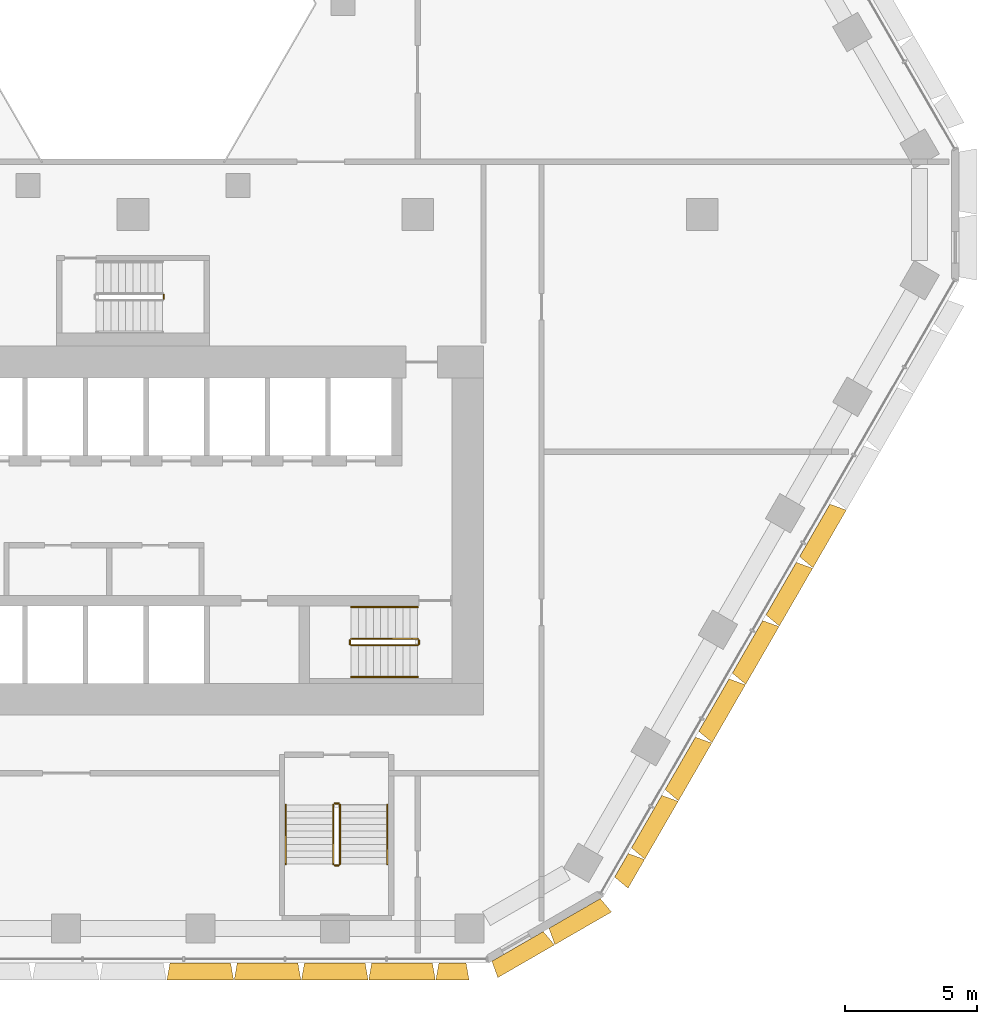
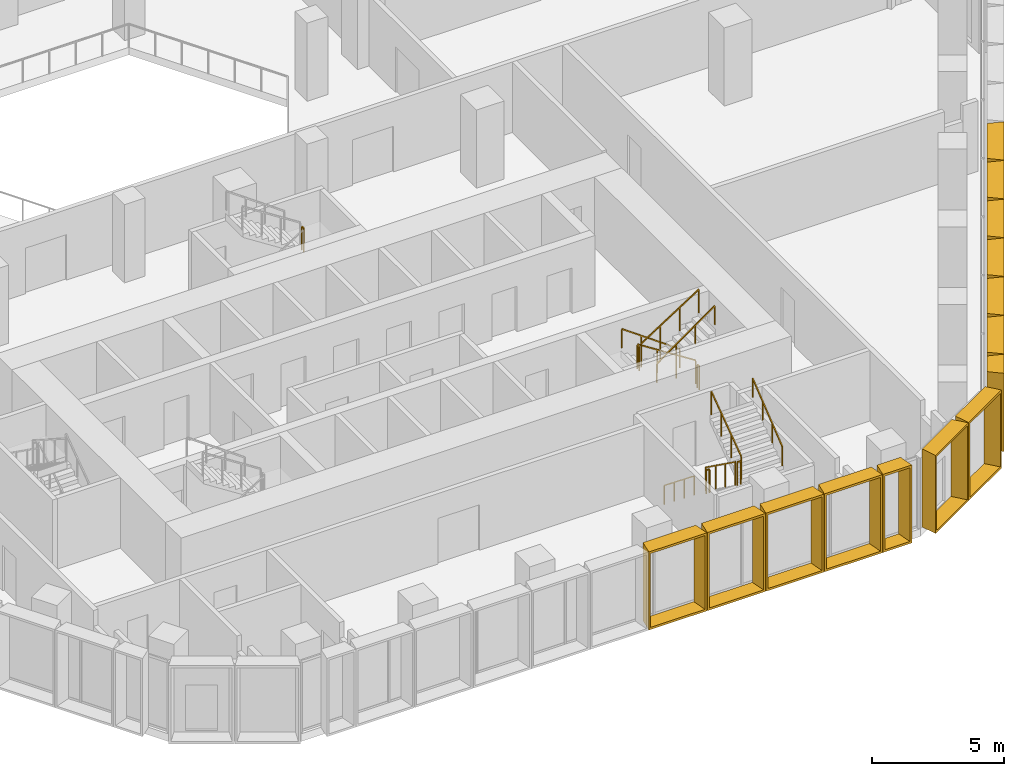
# One storey, part 21 of 22: 14 shading devices, 13 railings.
"""IFC4 building model written with IfcOpenShell, lengths in metres."""

from ifc_helpers import new_model, entity, si_unit, direction, frame, origin, origin_2d, place, context, subcontext, project, spatial, rectangle, extrude, source, transform, mapped, material, type_object, type_shapes, element, save


model = new_model("IFC4")

# Units and contexts
model_context = context("Model", 3, precision=1e-05, world=origin(), true_north=direction((0.0, 1.0)))
body_context = subcontext(model_context, "Body", "Model", "MODEL_VIEW")
ifc_project = project(units=[si_unit("LENGTHUNIT", "METRE"), si_unit("AREAUNIT", "SQUARE_METRE"), si_unit("VOLUMEUNIT", "CUBIC_METRE"), si_unit("PLANEANGLEUNIT", "RADIAN"), si_unit("MASSUNIT", "GRAM", prefix="KILO")], contexts=[model_context])

# Site, building, storey
site_placement = place(None, origin())
site = spatial("IfcSite", under=ifc_project, at=site_placement, CompositionType="ELEMENT")
building_placement = place(site_placement, origin())
building = spatial("IfcBuilding", under=site, at=building_placement, Name="Beryl Residences", CompositionType="ELEMENT")
storey_placement = place(building_placement, frame((0.0, 0.0, 12.60009765625)))
storey = spatial("IfcBuildingStorey", under=building, at=storey_placement, Name="L03", CompositionType="ELEMENT", Elevation=12.60009765625)

# Shading devices
ifc_material_1 = material(Name="Aluminium pale anodised", Category="aluminium")
shading_device_type_1 = type_object("IfcShadingDeviceType", Name="FR128-65A-H36 OUTER SKIN frame 650 mm deep, splay 10/10 deg, 1280 x 3600 mm cell", PredefinedType="USERDEFINED", material=ifc_material_1)
cartesian_point_1 = entity("IfcCartesianPoint", [-0.514892578125, 0.0])
cartesian_point_2 = entity("IfcCartesianPoint", [-0.433837890625, 0.10009765625])
cartesian_point_3 = entity("IfcCartesianPoint", [-0.629638671875, 0.0])
cartesian_point_4 = entity("IfcCartesianPoint", [-0.54833984375, 0.10009765625])
shared_shape_1 = source(origin(), body_context, "Body", "SweptSolid", [
    entity("IfcExtrudedAreaSolidTapered", entity("IfcArbitraryProfileDefWithVoids", "AREA", None, entity("IfcPolyline", [cartesian_point_1, entity("IfcCartesianPoint", [0.514892578125, 0.0]), entity("IfcCartesianPoint", [0.514892578125, 3.60009765625]), entity("IfcCartesianPoint", [-0.514892578125, 3.60009765625]), cartesian_point_1]), [entity("IfcPolyline", [cartesian_point_2, entity("IfcCartesianPoint", [0.433837890625, 0.10009765625]), entity("IfcCartesianPoint", [0.433837890625, 3.5]), entity("IfcCartesianPoint", [-0.433837890625, 3.5]), cartesian_point_2])]), entity("IfcAxis2Placement3D", entity("IfcCartesianPoint", [0.0, 0.0, 0.0]), entity("IfcDirection", [0.0, 1.0, 0.0]), entity("IfcDirection", [-1.0, 0.0, 0.0])), entity("IfcDirection", [0.0, 0.0, 1.0]), 0.64990234375, entity("IfcArbitraryProfileDefWithVoids", "AREA", None, entity("IfcPolyline", [cartesian_point_3, entity("IfcCartesianPoint", [0.629638671875, 0.0]), entity("IfcCartesianPoint", [0.629638671875, 3.60009765625]), entity("IfcCartesianPoint", [-0.629638671875, 3.60009765625]), cartesian_point_3]), [entity("IfcPolyline", [cartesian_point_4, entity("IfcCartesianPoint", [0.54833984375, 0.10009765625]), entity("IfcCartesianPoint", [0.54833984375, 3.5]), entity("IfcCartesianPoint", [-0.54833984375, 3.5]), cartesian_point_4])])),
])
type_shapes(shading_device_type_1, [shared_shape_1])
for number, where, z_axis, x_axis, name in (
    (1, (12.123046875, -28.39990234375, 0.0), (0.0, 0.0, 1.0), (-1.0, 0.0, 0.0), "FR128-65A-H36 frame L03 S 11"),
    (2, (18.534912109375, -24.697021484375, 0.0), (0.0, 0.0, 1.0), (-0.5, -0.866025403784, 0.0), "FR128-65A-H36 frame L03 SE 1"),
):
    element("IfcShadingDevice", number, at=place(storey_placement, frame(where, z_axis=z_axis, x_axis=x_axis)), inside=storey, type_object=shading_device_type_1, Name=name, ObjectType="OUTER SKIN", PredefinedType="USERDEFINED", context=body_context, shape_type="MappedRepresentation", body=[
        mapped(shared_shape_1, transform((0.0, 0.0, 0.0))),
    ])
ifc_material_2 = material(Name="Aluminium pale anodised", Category="aluminium")
shading_device_type_2 = type_object("IfcShadingDeviceType", Name="FR250-65A-H36 OUTER SKIN frame 650 mm deep, splay 10/10 deg, 2500 x 3600 mm cell", PredefinedType="USERDEFINED", material=ifc_material_2)
cartesian_point_5 = entity("IfcCartesianPoint", [-1.125, 0.0])
cartesian_point_6 = entity("IfcCartesianPoint", [-1.043701171875, 0.10009765625])
cartesian_point_7 = entity("IfcCartesianPoint", [-1.239501953125, 0.0])
cartesian_point_8 = entity("IfcCartesianPoint", [-1.158447265625, 0.10009765625])
shared_shape_2 = source(origin(), body_context, "Body", "SweptSolid", [
    entity("IfcExtrudedAreaSolidTapered", entity("IfcArbitraryProfileDefWithVoids", "AREA", None, entity("IfcPolyline", [cartesian_point_5, entity("IfcCartesianPoint", [1.125, 0.0]), entity("IfcCartesianPoint", [1.125, 3.60009765625]), entity("IfcCartesianPoint", [-1.125, 3.60009765625]), cartesian_point_5]), [entity("IfcPolyline", [cartesian_point_6, entity("IfcCartesianPoint", [1.043701171875, 0.10009765625]), entity("IfcCartesianPoint", [1.043701171875, 3.5]), entity("IfcCartesianPoint", [-1.043701171875, 3.5]), cartesian_point_6])]), entity("IfcAxis2Placement3D", entity("IfcCartesianPoint", [0.0, 0.0, 0.0]), entity("IfcDirection", [0.0, 1.0, 0.0]), entity("IfcDirection", [-1.0, 0.0, 0.0])), entity("IfcDirection", [0.0, 0.0, 1.0]), 0.64990234375, entity("IfcArbitraryProfileDefWithVoids", "AREA", None, entity("IfcPolyline", [cartesian_point_7, entity("IfcCartesianPoint", [1.239501953125, 0.0]), entity("IfcCartesianPoint", [1.239501953125, 3.60009765625]), entity("IfcCartesianPoint", [-1.239501953125, 3.60009765625]), cartesian_point_7]), [entity("IfcPolyline", [cartesian_point_8, entity("IfcCartesianPoint", [1.158447265625, 0.10009765625]), entity("IfcCartesianPoint", [1.158447265625, 3.5]), entity("IfcCartesianPoint", [-1.158447265625, 3.5]), cartesian_point_8])])),
])
type_shapes(shading_device_type_2, [shared_shape_2])
for number, where, z_axis, x_axis, name in (
    (3, (14.593017578125, -27.77490234375, 0.0), (0.0, 0.0, 1.0), (-0.866025403784, -0.5, 0.0), "FR250-65A-H36 frame L03 S-SE 1"),
    (4, (16.758056640625, -26.52490234375, 0.0), (0.0, 0.0, 1.0), (-0.866025403784, -0.5, 0.0), "FR250-65A-H36 frame L03 S-SE 2"),
):
    element("IfcShadingDevice", number, at=place(storey_placement, frame(where, z_axis=z_axis, x_axis=x_axis)), inside=storey, type_object=shading_device_type_2, Name=name, ObjectType="OUTER SKIN", PredefinedType="USERDEFINED", context=body_context, shape_type="MappedRepresentation", body=[
        mapped(shared_shape_2, transform((0.0, 0.0, 0.0))),
    ])
ifc_material_3 = material(Name="Aluminium pale anodised", Category="aluminium")
shading_device_type_3 = type_object("IfcShadingDeviceType", Name="FR255-65A-H36 OUTER SKIN frame 650 mm deep, splay 10/10 deg, 2550 x 3600 mm cell", PredefinedType="USERDEFINED", material=ifc_material_3)
cartesian_point_9 = entity("IfcCartesianPoint", [-1.14990234375, 0.0])
cartesian_point_10 = entity("IfcCartesianPoint", [-1.06884765625, 0.10009765625])
cartesian_point_11 = entity("IfcCartesianPoint", [-1.2646484375, 0.0])
cartesian_point_12 = entity("IfcCartesianPoint", [-1.183349609375, 0.10009765625])
shared_shape_3 = source(origin(), body_context, "Body", "SweptSolid", [
    entity("IfcExtrudedAreaSolidTapered", entity("IfcArbitraryProfileDefWithVoids", "AREA", None, entity("IfcPolyline", [cartesian_point_9, entity("IfcCartesianPoint", [1.14990234375, 0.0]), entity("IfcCartesianPoint", [1.14990234375, 3.60009765625]), entity("IfcCartesianPoint", [-1.14990234375, 3.60009765625]), cartesian_point_9]), [entity("IfcPolyline", [cartesian_point_10, entity("IfcCartesianPoint", [1.06884765625, 0.10009765625]), entity("IfcCartesianPoint", [1.06884765625, 3.5]), entity("IfcCartesianPoint", [-1.06884765625, 3.5]), cartesian_point_10])]), entity("IfcAxis2Placement3D", entity("IfcCartesianPoint", [0.0, 0.0, 0.0]), entity("IfcDirection", [0.0, 1.0, 0.0]), entity("IfcDirection", [-1.0, 0.0, 0.0])), entity("IfcDirection", [0.0, 0.0, 1.0]), 0.64990234375, entity("IfcArbitraryProfileDefWithVoids", "AREA", None, entity("IfcPolyline", [cartesian_point_11, entity("IfcCartesianPoint", [1.2646484375, 0.0]), entity("IfcCartesianPoint", [1.2646484375, 3.60009765625]), entity("IfcCartesianPoint", [-1.2646484375, 3.60009765625]), cartesian_point_11]), [entity("IfcPolyline", [cartesian_point_12, entity("IfcCartesianPoint", [1.183349609375, 0.10009765625]), entity("IfcCartesianPoint", [1.183349609375, 3.5]), entity("IfcCartesianPoint", [-1.183349609375, 3.5]), cartesian_point_12])])),
])
type_shapes(shading_device_type_3, [shared_shape_3])
for number, where, z_axis, x_axis, name in (
    (5, (2.552978515625, -28.39990234375, 0.0), (0.0, 0.0, 1.0), (-1.0, 0.0, 0.0), "FR255-65A-H36 frame L03 S 7"),
    (6, (5.10498046875, -28.39990234375, 0.0), (0.0, 0.0, 1.0), (-1.0, 0.0, 0.0), "FR255-65A-H36 frame L03 S 8"),
    (7, (7.656982421875, -28.39990234375, 0.0), (0.0, 0.0, 1.0), (-1.0, 0.0, 0.0), "FR255-65A-H36 frame L03 S 9"),
    (8, (10.208984375, -28.39990234375, 0.0), (0.0, 0.0, 1.0), (-1.0, 0.0, 0.0), "FR255-65A-H36 frame L03 S 10"),
    (9, (19.491943359375, -23.0400390625, 0.0), (0.0, 0.0, 1.0), (-0.5, -0.866025403784, 0.0), "FR255-65A-H36 frame L03 SE 2"),
    (10, (20.76806640625, -20.830078125, 0.0), (0.0, 0.0, 1.0), (-0.5, -0.866025403784, 0.0), "FR255-65A-H36 frame L03 SE 3"),
    (11, (22.0439453125, -18.618896484375, 0.0), (0.0, 0.0, 1.0), (-0.5, -0.866025403784, 0.0), "FR255-65A-H36 frame L03 SE 4"),
    (12, (23.320068359375, -16.408935546875, 0.0), (0.0, 0.0, 1.0), (-0.5, -0.866025403784, 0.0), "FR255-65A-H36 frame L03 SE 5"),
    (13, (24.594970703125, -14.198974609375, 0.0), (0.0, 0.0, 1.0), (-0.5, -0.866025403784, 0.0), "FR255-65A-H36 frame L03 SE 6"),
    (14, (25.87109375, -11.989013671875, 0.0), (0.0, 0.0, 1.0), (-0.5, -0.866025403784, 0.0), "FR255-65A-H36 frame L03 SE 7"),
):
    element("IfcShadingDevice", number, at=place(storey_placement, frame(where, z_axis=z_axis, x_axis=x_axis)), inside=storey, type_object=shading_device_type_3, Name=name, ObjectType="OUTER SKIN", PredefinedType="USERDEFINED", context=body_context, shape_type="MappedRepresentation", body=[
        mapped(shared_shape_3, transform((0.0, 0.0, 0.0))),
    ])

# Railings
ifc_material_4 = material(Name="Stainless steel balustrade with glass infill", Category="steel")
railing_type_1 = type_object("IfcRailingType", Name="SG1 stair guard 1100 mm", PredefinedType="GUARDRAIL", material=ifc_material_4)
railing_1_placement = place(storey_placement, frame((7.60009765625, -22.39990234375, 0.179931640625)))
element("IfcRailing", 15, at=railing_1_placement, inside=storey, type_object=railing_type_1, Name="L03 PS-7 stair guard 1", PredefinedType="GUARDRAIL", context=body_context, shape_type="SweptSolid", body=[
    extrude(rectangle(XDim=0.048095703125, YDim=0.048095703125, at=origin_2d()), frame((0.0, 0.0, 1.076171875), z_axis=(0.0, -0.811556054185, 0.58427456809), x_axis=(1.0, 0.0, 0.0)), (0.0, 0.0, 1.0), 2.7724609375),
    extrude(rectangle(XDim=0.0419921875, YDim=0.0419921875, at=origin_2d()), origin(), (0.0, 0.0, 1.0), 1.052001953125),
    extrude(rectangle(XDim=0.0419921875, YDim=0.0419921875, at=origin_2d()), frame((0.0, -0.75, 0.5400390625)), (0.0, 0.0, 1.0), 1.052001953125),
    extrude(rectangle(XDim=0.0419921875, YDim=0.0419921875, at=origin_2d()), frame((0.0, -1.5, 1.079833984375)), (0.0, 0.0, 1.0), 1.052001953125),
    extrude(rectangle(XDim=0.0419921875, YDim=0.0419921875, at=origin_2d()), frame((0.0, -2.25, 1.619873046875)), (0.0, 0.0, 1.0), 1.052001953125),
])
railing_2_placement = place(storey_placement, frame((7.64990234375, -24.699951171875, 1.7998046875)))
element("IfcRailing", 16, at=railing_2_placement, inside=storey, type_object=railing_type_1, Name="L03 PS-7 stair guard 2", PredefinedType="GUARDRAIL", context=body_context, shape_type="SweptSolid", body=[
    extrude(rectangle(XDim=0.048095703125, YDim=0.048095703125, at=origin_2d()), frame((0.0, 0.0, 1.076171875), z_axis=(1.0, 0.0, 0.0), x_axis=(0.0, 1.0, 0.0)), (0.0, 0.0, 1.0), 0.150146484375),
    extrude(rectangle(XDim=0.0419921875, YDim=0.0419921875, at=origin_2d()), origin(), (0.0, 0.0, 1.0), 1.052001953125),
    extrude(rectangle(XDim=0.0419921875, YDim=0.0419921875, at=origin_2d()), frame((0.150146484375, 0.0, 0.0)), (0.0, 0.0, 1.0), 1.052001953125),
])
railing_3_placement = place(storey_placement, frame((7.85009765625, -24.64990234375, 1.97998046875)))
element("IfcRailing", 17, at=railing_3_placement, inside=storey, type_object=railing_type_1, Name="L03 PS-7 stair guard 3", PredefinedType="GUARDRAIL", context=body_context, shape_type="SweptSolid", body=[
    extrude(rectangle(XDim=0.048095703125, YDim=0.048095703125, at=origin_2d()), frame((0.0, 0.0, 1.076171875), z_axis=(0.0, 0.811556054185, 0.58427456809), x_axis=(-1.0, 0.0, 0.0)), (0.0, 0.0, 1.0), 2.7724609375),
    extrude(rectangle(XDim=0.0419921875, YDim=0.0419921875, at=origin_2d()), origin(), (0.0, 0.0, 1.0), 1.052001953125),
    extrude(rectangle(XDim=0.0419921875, YDim=0.0419921875, at=origin_2d()), frame((0.0, 0.75, 0.5400390625)), (0.0, 0.0, 1.0), 1.052001953125),
    extrude(rectangle(XDim=0.0419921875, YDim=0.0419921875, at=origin_2d()), frame((0.0, 1.5, 1.079833984375)), (0.0, 0.0, 1.0), 1.052001953125),
    extrude(rectangle(XDim=0.0419921875, YDim=0.0419921875, at=origin_2d()), frame((0.0, 2.25, 1.619873046875)), (0.0, 0.0, 1.0), 1.052001953125),
])
railing_4_placement = place(storey_placement, frame((7.64990234375, -22.35009765625, 0.0)))
element("IfcRailing", 18, at=railing_4_placement, inside=storey, type_object=railing_type_1, Name="L03 PS-7 stair guard 4", PredefinedType="GUARDRAIL", context=body_context, shape_type="SweptSolid", body=[
    extrude(rectangle(XDim=0.048095703125, YDim=0.048095703125, at=origin_2d()), frame((0.0, 0.0, 1.076171875), z_axis=(1.0, 0.0, 0.0), x_axis=(0.0, 1.0, 0.0)), (0.0, 0.0, 1.0), 0.150146484375),
    extrude(rectangle(XDim=0.0419921875, YDim=0.0419921875, at=origin_2d()), origin(), (0.0, 0.0, 1.0), 1.052001953125),
    extrude(rectangle(XDim=0.0419921875, YDim=0.0419921875, at=origin_2d()), frame((0.150146484375, 0.0, 0.0)), (0.0, 0.0, 1.0), 1.052001953125),
])
railing_5_placement = place(storey_placement, frame((10.800048828125, -16.10009765625, 0.179931640625)))
element("IfcRailing", 19, at=railing_5_placement, inside=storey, type_object=railing_type_1, Name="L03 ST-3 stair guard 1", PredefinedType="GUARDRAIL", context=body_context, shape_type="SweptSolid", body=[
    extrude(rectangle(XDim=0.048095703125, YDim=0.048095703125, at=origin_2d()), frame((0.0, 0.0, 1.076171875), z_axis=(-0.841199657755, 0.0, 0.540724639528), x_axis=(0.0, -1.0, 0.0)), (0.0, 0.0, 1.0), 2.995849609375),
    extrude(rectangle(XDim=0.0419921875, YDim=0.0419921875, at=origin_2d()), origin(), (0.0, 0.0, 1.0), 1.052001953125),
    extrude(rectangle(XDim=0.0419921875, YDim=0.0419921875, at=origin_2d()), frame((-0.840087890625, 0.0, 0.5400390625)), (0.0, 0.0, 1.0), 1.052001953125),
    extrude(rectangle(XDim=0.0419921875, YDim=0.0419921875, at=origin_2d()), frame((-1.679931640625, 0.0, 1.079833984375)), (0.0, 0.0, 1.0), 1.052001953125),
    extrude(rectangle(XDim=0.0419921875, YDim=0.0419921875, at=origin_2d()), frame((-2.52001953125, 0.0, 1.619873046875)), (0.0, 0.0, 1.0), 1.052001953125),
])
railing_6_placement = place(storey_placement, frame((8.22998046875, -16.14990234375, 1.7998046875)))
element("IfcRailing", 20, at=railing_6_placement, inside=storey, type_object=railing_type_1, Name="L03 ST-3 stair guard 2", PredefinedType="GUARDRAIL", context=body_context, shape_type="SweptSolid", body=[
    extrude(rectangle(XDim=0.048095703125, YDim=0.048095703125, at=origin_2d()), frame((0.0, 0.0, 1.076171875), z_axis=(0.0, -1.0, 0.0), x_axis=(1.0, 0.0, 0.0)), (0.0, 0.0, 1.0), 0.150146484375),
    extrude(rectangle(XDim=0.0419921875, YDim=0.0419921875, at=origin_2d()), origin(), (0.0, 0.0, 1.0), 1.052001953125),
    extrude(rectangle(XDim=0.0419921875, YDim=0.0419921875, at=origin_2d()), frame((0.0, -0.150146484375, 0.0)), (0.0, 0.0, 1.0), 1.052001953125),
])
railing_7_placement = place(storey_placement, frame((8.280029296875, -16.35009765625, 1.97998046875)))
element("IfcRailing", 21, at=railing_7_placement, inside=storey, type_object=railing_type_1, Name="L03 ST-3 stair guard 3", PredefinedType="GUARDRAIL", context=body_context, shape_type="SweptSolid", body=[
    extrude(rectangle(XDim=0.048095703125, YDim=0.048095703125, at=origin_2d()), frame((0.0, 0.0, 1.076171875), z_axis=(0.841199657755, 0.0, 0.540724639528), x_axis=(0.0, 1.0, 0.0)), (0.0, 0.0, 1.0), 2.995849609375),
    extrude(rectangle(XDim=0.0419921875, YDim=0.0419921875, at=origin_2d()), origin(), (0.0, 0.0, 1.0), 1.052001953125),
    extrude(rectangle(XDim=0.0419921875, YDim=0.0419921875, at=origin_2d()), frame((0.840087890625, 0.0, 0.5400390625)), (0.0, 0.0, 1.0), 1.052001953125),
    extrude(rectangle(XDim=0.0419921875, YDim=0.0419921875, at=origin_2d()), frame((1.679931640625, 0.0, 1.079833984375)), (0.0, 0.0, 1.0), 1.052001953125),
    extrude(rectangle(XDim=0.0419921875, YDim=0.0419921875, at=origin_2d()), frame((2.52001953125, 0.0, 1.619873046875)), (0.0, 0.0, 1.0), 1.052001953125),
])
railing_8_placement = place(storey_placement, frame((10.85009765625, -16.14990234375, 0.0)))
element("IfcRailing", 22, at=railing_8_placement, inside=storey, type_object=railing_type_1, Name="L03 ST-3 stair guard 4", PredefinedType="GUARDRAIL", context=body_context, shape_type="SweptSolid", body=[
    extrude(rectangle(XDim=0.048095703125, YDim=0.048095703125, at=origin_2d()), frame((0.0, 0.0, 1.076171875), z_axis=(0.0, -1.0, 0.0), x_axis=(1.0, 0.0, 0.0)), (0.0, 0.0, 1.0), 0.150146484375),
    extrude(rectangle(XDim=0.0419921875, YDim=0.0419921875, at=origin_2d()), origin(), (0.0, 0.0, 1.0), 1.052001953125),
    extrude(rectangle(XDim=0.0419921875, YDim=0.0419921875, at=origin_2d()), frame((0.0, -0.150146484375, 0.0)), (0.0, 0.0, 1.0), 1.052001953125),
])
railing_9_placement = place(storey_placement, frame((1.169921875, -3.199951171875, 1.7998046875)))
element("IfcRailing", 23, at=railing_9_placement, inside=storey, type_object=railing_type_1, Name="L03 ST-4 stair guard 2", PredefinedType="GUARDRAIL", context=body_context, shape_type="SweptSolid", body=[
    extrude(rectangle(XDim=0.048095703125, YDim=0.048095703125, at=origin_2d()), frame((0.0, 0.0, 1.076171875), z_axis=(0.0, 1.0, 0.0), x_axis=(-1.0, 0.0, 0.0)), (0.0, 0.0, 1.0), 0.14990234375),
    extrude(rectangle(XDim=0.0419921875, YDim=0.0419921875, at=origin_2d()), origin(), (0.0, 0.0, 1.0), 1.052001953125),
    extrude(rectangle(XDim=0.0419921875, YDim=0.0419921875, at=origin_2d()), frame((0.0, 0.14990234375, 0.0)), (0.0, 0.0, 1.0), 1.052001953125),
])
ifc_material_5 = material(Name="Stainless steel handrail", Category="steel")
railing_type_2 = type_object("IfcRailingType", Name="SRL1 stair handrail 900 mm", PredefinedType="HANDRAIL", material=ifc_material_5)
railing_10_placement = place(storey_placement, frame((5.800048828125, -22.39990234375, 0.179931640625)))
element("IfcRailing", 24, at=railing_10_placement, inside=storey, type_object=railing_type_2, Name="L03 PS-7 stair handrail 1", PredefinedType="HANDRAIL", context=body_context, shape_type="SweptSolid", body=[
    extrude(rectangle(XDim=0.048095703125, YDim=0.048095703125, at=origin_2d()), frame((0.0, 0.0, 0.8759765625), z_axis=(0.0, -0.780860543151, 0.624705380279), x_axis=(1.0, 0.0, 0.0)), (0.0, 0.0, 1.0), 2.88134765625),
    extrude(rectangle(XDim=0.0419921875, YDim=0.0419921875, at=origin_2d()), origin(), (0.0, 0.0, 1.0), 0.851806640625),
    extrude(rectangle(XDim=0.0419921875, YDim=0.0419921875, at=origin_2d()), frame((0.0, -0.75, 0.60009765625)), (0.0, 0.0, 1.0), 0.851806640625),
    extrude(rectangle(XDim=0.0419921875, YDim=0.0419921875, at=origin_2d()), frame((0.0, -1.5, 1.199951171875)), (0.0, 0.0, 1.0), 0.851806640625),
    extrude(rectangle(XDim=0.0419921875, YDim=0.0419921875, at=origin_2d()), frame((0.0, -2.25, 1.800048828125)), (0.0, 0.0, 1.0), 0.851806640625),
])
railing_11_placement = place(storey_placement, frame((9.64990234375, -24.64990234375, 1.97998046875)))
element("IfcRailing", 25, at=railing_11_placement, inside=storey, type_object=railing_type_2, Name="L03 PS-7 stair handrail 2", PredefinedType="HANDRAIL", context=body_context, shape_type="SweptSolid", body=[
    extrude(rectangle(XDim=0.048095703125, YDim=0.048095703125, at=origin_2d()), frame((0.0, 0.0, 0.8759765625), z_axis=(0.0, 0.780901874994, 0.624653713374), x_axis=(-1.0, 0.0, 0.0)), (0.0, 0.0, 1.0), 2.88134765625),
    extrude(rectangle(XDim=0.0419921875, YDim=0.0419921875, at=origin_2d()), origin(), (0.0, 0.0, 1.0), 0.851806640625),
    extrude(rectangle(XDim=0.0419921875, YDim=0.0419921875, at=origin_2d()), frame((0.0, 0.75, 0.599853515625)), (0.0, 0.0, 1.0), 0.851806640625),
    extrude(rectangle(XDim=0.0419921875, YDim=0.0419921875, at=origin_2d()), frame((0.0, 1.5, 1.199951171875)), (0.0, 0.0, 1.0), 0.851806640625),
    extrude(rectangle(XDim=0.0419921875, YDim=0.0419921875, at=origin_2d()), frame((0.0, 2.25, 1.7998046875)), (0.0, 0.0, 1.0), 0.851806640625),
])
railing_12_placement = place(storey_placement, frame((10.800048828125, -14.89990234375, 0.179931640625)))
element("IfcRailing", 26, at=railing_12_placement, inside=storey, type_object=railing_type_2, Name="L03 ST-3 stair handrail 1", PredefinedType="HANDRAIL", context=body_context, shape_type="SweptSolid", body=[
    extrude(rectangle(XDim=0.048095703125, YDim=0.048095703125, at=origin_2d()), frame((0.0, 0.0, 0.8759765625), z_axis=(-0.813728144527, 0.0, 0.581245650998), x_axis=(0.0, -1.0, 0.0)), (0.0, 0.0, 1.0), 3.096923828125),
    extrude(rectangle(XDim=0.0419921875, YDim=0.0419921875, at=origin_2d()), origin(), (0.0, 0.0, 1.0), 0.851806640625),
    extrude(rectangle(XDim=0.0419921875, YDim=0.0419921875, at=origin_2d()), frame((-0.840087890625, 0.0, 0.60009765625)), (0.0, 0.0, 1.0), 0.851806640625),
    extrude(rectangle(XDim=0.0419921875, YDim=0.0419921875, at=origin_2d()), frame((-1.679931640625, 0.0, 1.199951171875)), (0.0, 0.0, 1.0), 0.851806640625),
    extrude(rectangle(XDim=0.0419921875, YDim=0.0419921875, at=origin_2d()), frame((-2.52001953125, 0.0, 1.800048828125)), (0.0, 0.0, 1.0), 0.851806640625),
])
railing_13_placement = place(storey_placement, frame((8.280029296875, -17.550048828125, 1.97998046875)))
element("IfcRailing", 27, at=railing_13_placement, inside=storey, type_object=railing_type_2, Name="L03 ST-3 stair handrail 2", PredefinedType="HANDRAIL", context=body_context, shape_type="SweptSolid", body=[
    extrude(rectangle(XDim=0.048095703125, YDim=0.048095703125, at=origin_2d()), frame((0.0, 0.0, 0.8759765625), z_axis=(0.813765431312, 0.0, 0.581193446971), x_axis=(0.0, 1.0, 0.0)), (0.0, 0.0, 1.0), 3.0966796875),
    extrude(rectangle(XDim=0.0419921875, YDim=0.0419921875, at=origin_2d()), origin(), (0.0, 0.0, 1.0), 0.851806640625),
    extrude(rectangle(XDim=0.0419921875, YDim=0.0419921875, at=origin_2d()), frame((0.840087890625, 0.0, 0.599853515625)), (0.0, 0.0, 1.0), 0.851806640625),
    extrude(rectangle(XDim=0.0419921875, YDim=0.0419921875, at=origin_2d()), frame((1.679931640625, 0.0, 1.199951171875)), (0.0, 0.0, 1.0), 0.851806640625),
    extrude(rectangle(XDim=0.0419921875, YDim=0.0419921875, at=origin_2d()), frame((2.52001953125, 0.0, 1.7998046875)), (0.0, 0.0, 1.0), 0.851806640625),
])

save(model, "model.ifc")
